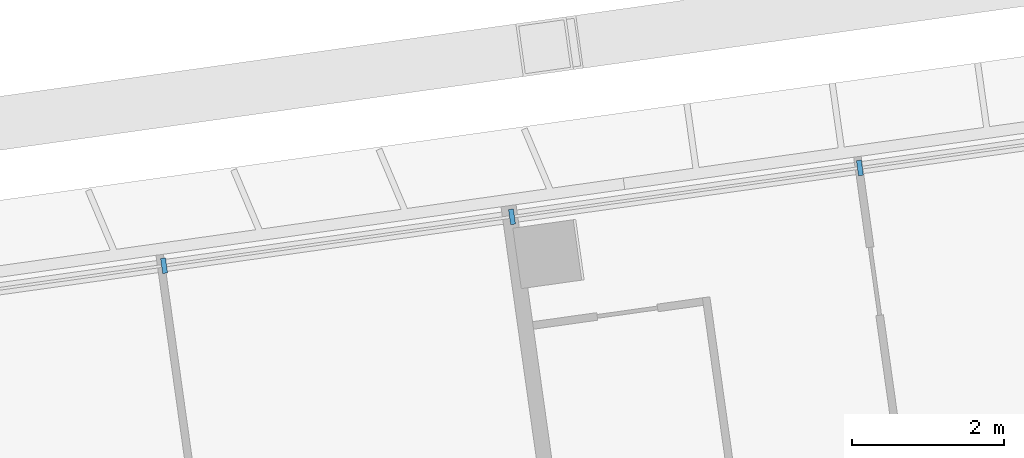
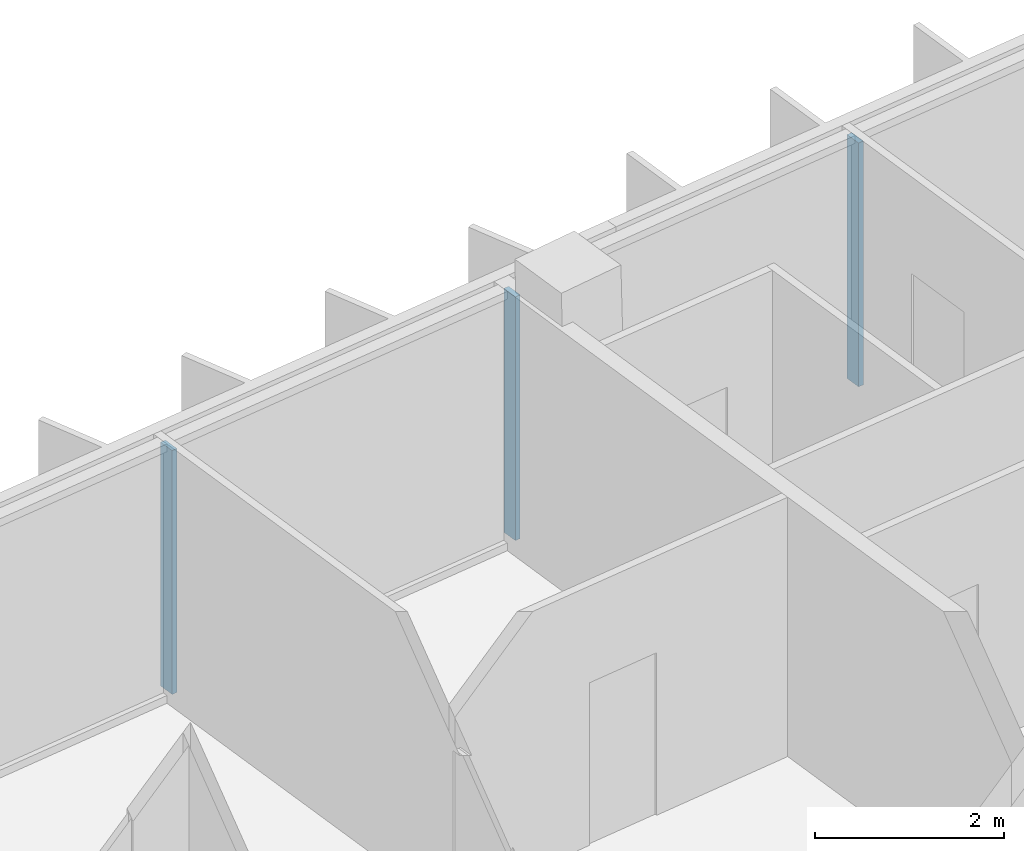
# One storey, part 18 of 38: 3 members, 1 element without a shape of its own.
"""IFC4 building model written with IfcOpenShell, lengths in metres."""

from ifc_helpers import new_model, si_unit, direction, frame, origin, origin_2d, place, context, subcontext, project, spatial, rectangle, extrude, material, material_profile, profile_set, type_object, element, aggregate, save


model = new_model("IFC4")

# Units and contexts
model_context = context("Model", 3, precision=1e-05, world=origin(), true_north=direction((0.0, 1.0)))
body_context = subcontext(model_context, "Body", "Model", "MODEL_VIEW")
ifc_project = project(units=[si_unit("LENGTHUNIT", "METRE"), si_unit("AREAUNIT", "SQUARE_METRE"), si_unit("VOLUMEUNIT", "CUBIC_METRE"), si_unit("PLANEANGLEUNIT", "RADIAN"), si_unit("MASSUNIT", "GRAM", prefix="KILO")], contexts=[model_context])

# Site, building, storey
site_placement = place(None, origin())
site = spatial("IfcSite", under=ifc_project, at=site_placement, CompositionType="ELEMENT")
building_placement = place(site_placement, origin())
building = spatial("IfcBuilding", under=site, at=building_placement, Name="Mirante Cascada Hotel Towers", CompositionType="ELEMENT")
storey_placement = place(building_placement, frame((0.0, 0.0, 184.0)))
storey = spatial("IfcBuildingStorey", under=building, at=storey_placement, Name="L43", CompositionType="ELEMENT", Elevation=184.0)

# Curtain wall, members
ifc_material_1 = material(Name="Aluminium mullion and transom frame with clear laminated glass", Category="aluminium")
curtain_wall_type = type_object("IfcCurtainWallType", Name="Ribbon curtain wall ECW1", PredefinedType="NOTDEFINED", material=ifc_material_1)
curtain_wall_placement = place(storey_placement, origin())
curtain_wall = element("IfcCurtainWall", 1, at=curtain_wall_placement, inside=storey, type_object=curtain_wall_type, Name="Front ribbon wall T2 L43", PredefinedType="NOTDEFINED")
ifc_material_2 = material(Name="Anodised aluminium extrusion", Category="aluminium")
ifc_material_profile = material_profile(ifc_material_2, rectangle(XDim=0.2, YDim=0.065, at=origin_2d()), Name="ECW1 MULLION 65x200")
ifc_profile_set = profile_set([ifc_material_profile], Name="Anodised aluminium extrusion")
member_type = type_object("IfcMemberType", Name="ECW1 mullion 65x200", PredefinedType="MULLION", material=ifc_profile_set)
member_1_placement = place(storey_placement, frame((48.9448, 19.6978, 0.1), z_axis=(0.0, 0.0, 1.0), x_axis=(0.1391731, -0.9902681, 0.0)))
member_1 = element("IfcMember", 2, at=member_1_placement, type_object=member_type, Name="ECW1 mullion 7", PredefinedType="MULLION", context=body_context, shape_type="SweptSolid", body=[
    extrude(rectangle(XDim=0.2, YDim=0.065, at=origin_2d()), origin(), (0.0, 0.0, 1.0), 3.15),
])
member_2_placement = place(storey_placement, frame((44.3801, 19.0562, 0.1), z_axis=(0.0, 0.0, 1.0), x_axis=(0.1391731, -0.9902681, 0.0)))
member_2 = element("IfcMember", 3, at=member_2_placement, type_object=member_type, Name="ECW1 mullion 8", PredefinedType="MULLION", context=body_context, shape_type="SweptSolid", body=[
    extrude(rectangle(XDim=0.2, YDim=0.065, at=origin_2d()), origin(), (0.0, 0.0, 1.0), 3.15),
])
member_3_placement = place(storey_placement, frame((39.8153, 18.4147, 0.1), z_axis=(0.0, 0.0, 1.0), x_axis=(0.1391731, -0.9902681, 0.0)))
member_3 = element("IfcMember", 4, at=member_3_placement, type_object=member_type, Name="ECW1 mullion 9", PredefinedType="MULLION", context=body_context, shape_type="SweptSolid", body=[
    extrude(rectangle(XDim=0.2, YDim=0.065, at=origin_2d()), origin(), (0.0, 0.0, 1.0), 3.15),
])
aggregate(curtain_wall, [member_1, member_2, member_3])

save(model, "model.ifc")
